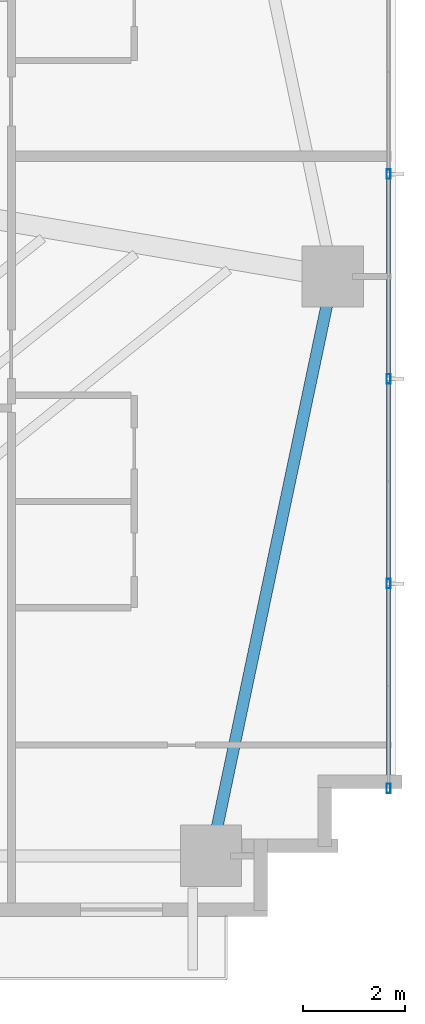
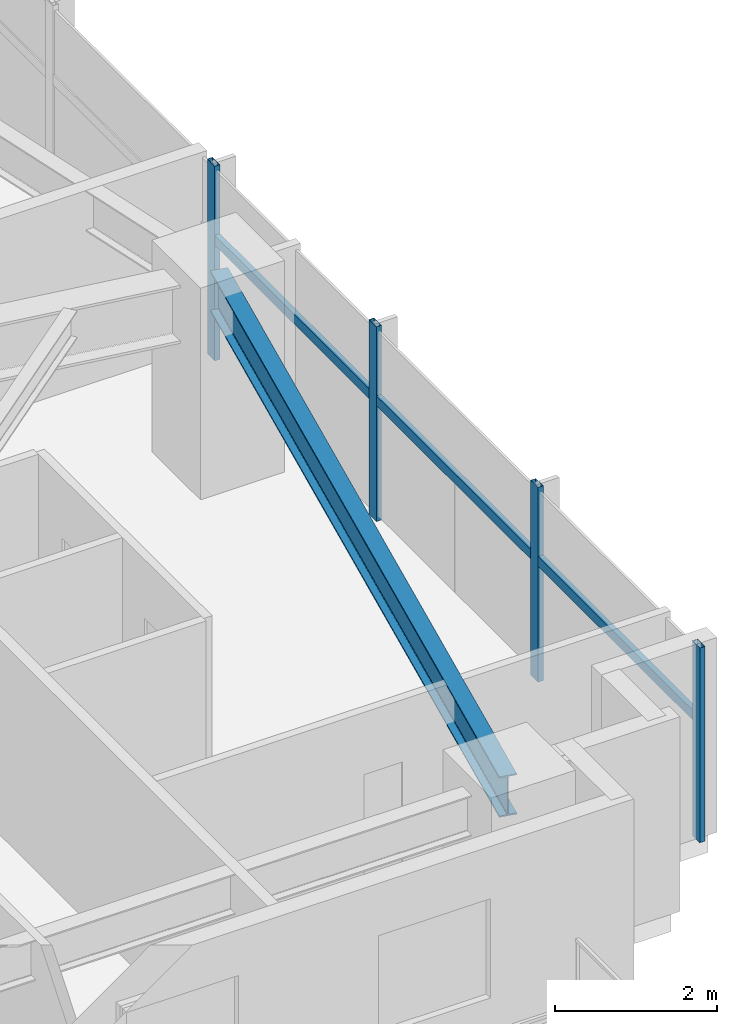
# One storey, part 14 of 25: 7 members, 1 beam, 1 element without a shape of its own.
"""IFC4 building model written with IfcOpenShell, lengths in metres."""

from ifc_helpers import new_model, si_unit, direction, frame, origin, origin_2d, place, context, subcontext, project, spatial, hollow_rectangle, i_section, extrude, source, transform, mapped, material, material_profile, profile_set, type_object, type_shapes, element, aggregate, save


model = new_model("IFC4")

# Units and contexts
model_context = context("Model", 3, precision=1e-05, world=origin(), true_north=direction((0.0, 1.0)))
body_context = subcontext(model_context, "Body", "Model", "MODEL_VIEW")
ifc_project = project(units=[si_unit("LENGTHUNIT", "METRE"), si_unit("AREAUNIT", "SQUARE_METRE"), si_unit("VOLUMEUNIT", "CUBIC_METRE"), si_unit("PLANEANGLEUNIT", "RADIAN"), si_unit("MASSUNIT", "GRAM", prefix="KILO")], contexts=[model_context])

# Site, building, storey
site_placement = place(None, origin())
site = spatial("IfcSite", under=ifc_project, at=site_placement, CompositionType="ELEMENT")
building_placement = place(site_placement, origin())
building = spatial("IfcBuilding", under=site, at=building_placement, Name="Astriad Promenade Condominiums", CompositionType="ELEMENT")
storey_placement = place(building_placement, frame((0.0, 0.0, 48.60009765625)))
storey = spatial("IfcBuildingStorey", under=building, at=storey_placement, Name="L13", CompositionType="ELEMENT", Elevation=48.60009765625)

# Beam
ifc_material_1 = material(Name="Steel ASTM A992 Grade 50", Category="steel")
ifc_material_profile_1 = material_profile(ifc_material_1, i_section(OverallWidth=0.22900390625, OverallDepth=0.612060546875, WebThickness=0.011962890625, FlangeThickness=0.01953125, FilletRadius=0.017822265625, at=origin_2d()), Name="W24X84")
ifc_profile_set_1 = profile_set([ifc_material_profile_1], Name="Steel ASTM A992 Grade 50")
beam_type = type_object("IfcBeamType", Name="STEEL SPANDREL BEAM W24X84", PredefinedType="SPANDREL", material=ifc_profile_set_1)
shared_shape_1 = source(origin(), body_context, "Body", "SweptSolid", [
    extrude(i_section(OverallWidth=0.22900390625, OverallDepth=0.612060546875, WebThickness=0.011962890625, FlangeThickness=0.01953125, FilletRadius=0.017822265625, at=origin_2d()), origin(), (0.0, 0.0, 1.0), 11.487548828125),
])
type_shapes(beam_type, [shared_shape_1])
beam_placement = place(storey_placement, frame((56.208251953125, 3.919189453125, 2.6337890625), z_axis=(0.205748055501, 0.978604995725, 0.0), x_axis=(-0.978604995725, 0.205748055501, 0.0)))
element("IfcBeam", 1, at=beam_placement, inside=storey, type_object=beam_type, Name="Perimeter Spandrel Beam SP-E1-L13", PredefinedType="SPANDREL", context=body_context, shape_type="MappedRepresentation", body=[
    mapped(shared_shape_1, transform((0.0, 0.0, 0.0), scale=1.0)),
])

# Curtain wall, members
ifc_material_2 = material(Name="Anodised aluminium Black Dark Glass Unitised", Category="aluminium")
curtain_wall_type = type_object("IfcCurtainWallType", Name="CW-B1-DARK", PredefinedType="USERDEFINED", material=ifc_material_2)
curtain_wall_placement = place(storey_placement, origin())
curtain_wall = element("IfcCurtainWall", 2, at=curtain_wall_placement, inside=storey, type_object=curtain_wall_type, Name="CW-L13-E", ObjectType="UNITISED_CURTAIN_WALL", PredefinedType="USERDEFINED")
ifc_material_3 = material(Name="Anodised aluminium 6063-T6 Black", Category="aluminium")
ifc_material_profile_2 = material_profile(ifc_material_3, hollow_rectangle(XDim=0.074951171875, YDim=0.18505859375, WallThickness=0.00439453125, at=origin_2d()), Name="ALU-MUL-75X185")
ifc_profile_set_2 = profile_set([ifc_material_profile_2], Name="Anodised aluminium 6063-T6 Black")
member_type_1 = type_object("IfcMemberType", Name="MUL-ALU-MUL-75X185", PredefinedType="MULLION", material=ifc_profile_set_2)
shared_shape_2 = source(origin(), body_context, "Body", "SweptSolid", [
    extrude(hollow_rectangle(XDim=0.074951171875, YDim=0.18505859375, WallThickness=0.00439453125, at=origin_2d()), origin(), (0.0, 0.0, 1.0), 2.93994140625),
])
type_shapes(member_type_1, [shared_shape_2])
member_1_placement = place(storey_placement, frame((59.669921875, 17.199951171875, 0.0), z_axis=(0.0, 0.0, 1.0), x_axis=(1.0, 0.0, 0.0)))
member_1 = element("IfcMember", 3, at=member_1_placement, type_object=member_type_1, Name="CW-L13-E-MUL-02", PredefinedType="MULLION", context=body_context, shape_type="MappedRepresentation", body=[
    mapped(shared_shape_2, transform((0.0, 0.0, 0.0), scale=1.0)),
])
member_2_placement = place(storey_placement, frame((59.669921875, 13.199951171875, 0.0), z_axis=(0.0, 0.0, 1.0), x_axis=(1.0, 0.0, 0.0)))
member_2 = element("IfcMember", 4, at=member_2_placement, type_object=member_type_1, Name="CW-L13-E-MUL-03", PredefinedType="MULLION", context=body_context, shape_type="MappedRepresentation", body=[
    mapped(shared_shape_2, transform((0.0, 0.0, 0.0), scale=1.0)),
])
member_3_placement = place(storey_placement, frame((59.669921875, 9.199951171875, 0.0), z_axis=(0.0, 0.0, 1.0), x_axis=(1.0, 0.0, 0.0)))
member_3 = element("IfcMember", 5, at=member_3_placement, type_object=member_type_1, Name="CW-L13-E-MUL-04", PredefinedType="MULLION", context=body_context, shape_type="MappedRepresentation", body=[
    mapped(shared_shape_2, transform((0.0, 0.0, 0.0), scale=1.0)),
])
member_4_placement = place(storey_placement, frame((59.669921875, 5.199951171875, 0.0), z_axis=(0.0, 0.0, 1.0), x_axis=(1.0, 0.0, 0.0)))
member_4 = element("IfcMember", 6, at=member_4_placement, type_object=member_type_1, Name="CW-L13-E-MUL-05", PredefinedType="MULLION", context=body_context, shape_type="MappedRepresentation", body=[
    mapped(shared_shape_2, transform((0.0, 0.0, 0.0), scale=1.0)),
])
ifc_material_profile_3 = material_profile(ifc_material_3, hollow_rectangle(XDim=0.074951171875, YDim=0.14990234375, WallThickness=0.004150390625, at=origin_2d()), Name="ALU-TRN-75X150")
ifc_profile_set_3 = profile_set([ifc_material_profile_3], Name="Anodised aluminium 6063-T6 Black")
member_type_2 = type_object("IfcMemberType", Name="TRN-ALU-TRN-75X150", PredefinedType="USERDEFINED", material=ifc_profile_set_3)
shared_shape_3 = source(origin(), body_context, "Body", "SweptSolid", [
    extrude(hollow_rectangle(XDim=0.074951171875, YDim=0.14990234375, WallThickness=0.004150390625, at=origin_2d()), origin(), (0.0, 0.0, 1.0), 4.0),
])
type_shapes(member_type_2, [shared_shape_3])
member_5_placement = place(storey_placement, frame((59.669921875, 17.199951171875, 1.82275390625), z_axis=(0.0, -1.0, 0.0), x_axis=(1.0, 0.0, 0.0)))
member_5 = element("IfcMember", 7, at=member_5_placement, type_object=member_type_2, Name="CW-L13-E-TRN-02-0", ObjectType="TRANSOM", PredefinedType="USERDEFINED", context=body_context, shape_type="MappedRepresentation", body=[
    mapped(shared_shape_3, transform((0.0, 0.0, 0.0), scale=1.0)),
])
member_6_placement = place(storey_placement, frame((59.669921875, 13.199951171875, 1.82275390625), z_axis=(0.0, -1.0, 0.0), x_axis=(1.0, 0.0, 0.0)))
member_6 = element("IfcMember", 8, at=member_6_placement, type_object=member_type_2, Name="CW-L13-E-TRN-03-0", ObjectType="TRANSOM", PredefinedType="USERDEFINED", context=body_context, shape_type="MappedRepresentation", body=[
    mapped(shared_shape_3, transform((0.0, 0.0, 0.0), scale=1.0)),
])
member_7_placement = place(storey_placement, frame((59.669921875, 9.199951171875, 1.82275390625), z_axis=(0.0, -1.0, 0.0), x_axis=(1.0, 0.0, 0.0)))
member_7 = element("IfcMember", 9, at=member_7_placement, type_object=member_type_2, Name="CW-L13-E-TRN-04-0", ObjectType="TRANSOM", PredefinedType="USERDEFINED", context=body_context, shape_type="MappedRepresentation", body=[
    mapped(shared_shape_3, transform((0.0, 0.0, 0.0), scale=1.0)),
])
aggregate(curtain_wall, [member_1, member_2, member_3, member_4, member_5, member_6, member_7])

save(model, "model.ifc")
